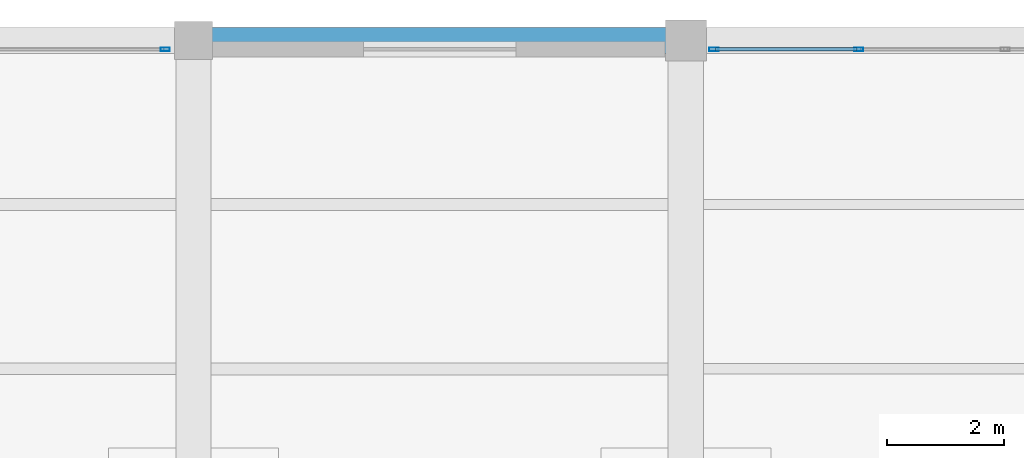
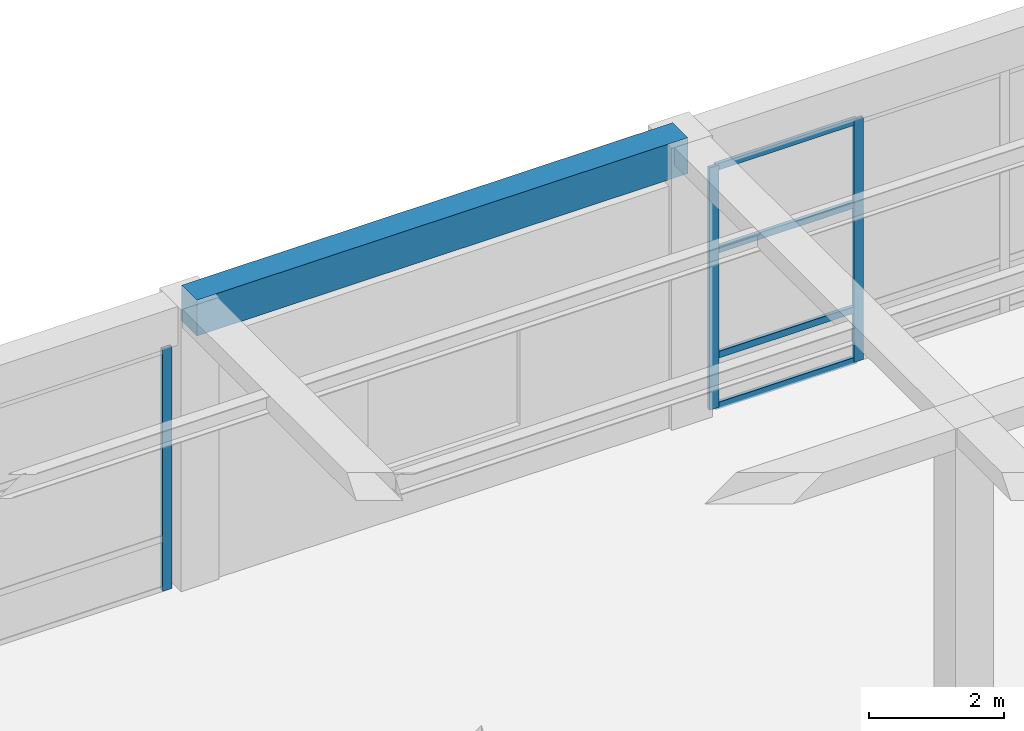
# One storey, part 50 of 95: 7 members, 1 beam, 2 elements without a shape of their own.
"""IFC4 building model written with IfcOpenShell, lengths in metres."""

import ifcopenshell
import ifcopenshell.guid

model = None  # the IFC model being written
_history = None  # IfcOwnerHistory: only IFC2X3 demands one
_inside = {}  # id of a spatial element -> (the spatial element, [elements in it])
_under = {}  # id of a project, library or spatial element -> (it, [spatial elements below it])
_declared = {}  # id of a project -> (the project, [libraries it declares])
_typed = {}  # id of a type object -> (the type object, [elements of that type])
_made_of = {}  # id of a material, layer set ... -> (it, [elements and type objects made of it])


def new_model(schema):
    """Start an empty IFC model of exactly this schema.

    Asked for "IFC4X3", IfcOpenShell would pick the latest addendum, in which some entities
    have other attributes; the version numbers below select the first issue.
    IFC2X3 requires an IfcOwnerHistory on every rooted entity: one is made here for all.
    """
    global model, _history
    if schema == "IFC4X3":
        model = ifcopenshell.file(schema_version=(4, 3, 0, 0))
    else:
        model = ifcopenshell.file(schema=schema)
    _inside.clear()
    _under.clear()
    _declared.clear()
    _typed.clear()
    _made_of.clear()
    _history = None
    if model.schema == "IFC2X3":
        org = make("IfcOrganization", Name="unknown")
        user = make(
            "IfcPersonAndOrganization",
            ThePerson=make("IfcPerson", FamilyName="unknown"),
            TheOrganization=org,
        )
        app = make(
            "IfcApplication",
            ApplicationDeveloper=org,
            Version="unknown",
            ApplicationFullName="unknown",
            ApplicationIdentifier="unknown",
        )
        _history = make(
            "IfcOwnerHistory",
            OwningUser=user,
            OwningApplication=app,
            ChangeAction="ADDED",
            CreationDate=0,
        )
    return model


def make(cls, **values):
    """One entity of the class cls with the attributes given. An attribute that is None is left unset."""
    return model.create_entity(
        cls, **{name: value for name, value in values.items() if value is not None}
    )


def rooted(cls, **values):
    """An entity with a GlobalId (a new one), such as an element, a storey or a relation."""
    return make(cls, GlobalId=ifcopenshell.guid.new(), OwnerHistory=_history, **values)


def si_unit(unit_type, name, prefix=None):
    """IfcSIUnit, for example si_unit("LENGTHUNIT", "METRE", prefix="MILLI")."""
    return make("IfcSIUnit", UnitType=unit_type, Prefix=prefix, Name=name)


def assignment(units):
    """IfcUnitAssignment: the units of a project."""
    return None if units is None else make("IfcUnitAssignment", Units=units)


def point(xyz):
    """IfcCartesianPoint."""
    return None if xyz is None else make("IfcCartesianPoint", Coordinates=xyz)


def direction(xyz):
    """IfcDirection."""
    return None if xyz is None else make("IfcDirection", DirectionRatios=xyz)


def frame(location, z_axis=None, x_axis=None):
    """IfcAxis2Placement3D, a coordinate frame: its origin and axes. An axis left out is left unset."""
    return make(
        "IfcAxis2Placement3D",
        Location=point(location),
        Axis=direction(z_axis),
        RefDirection=direction(x_axis),
    )


def frame_2d(location, x_axis=None):
    """IfcAxis2Placement2D, a coordinate frame in the plane: its origin and x axis."""
    return make(
        "IfcAxis2Placement2D", Location=point(location), RefDirection=direction(x_axis)
    )


def origin():
    """The frame at (0, 0, 0) with its axes left unset."""
    return frame((0.0, 0.0, 0.0))


def origin_2d():
    """The frame at (0, 0) in the plane with its x axis left unset."""
    return frame_2d((0.0, 0.0))


def place(relative_to, where):
    """IfcLocalPlacement: puts the frame where relative to a parent placement (None: the world)."""
    return make(
        "IfcLocalPlacement", PlacementRelTo=relative_to, RelativePlacement=where
    )


def context(
    kind, dimensions, precision=None, world=None, true_north=None, identifier=None
):
    """IfcGeometricRepresentationContext, for example the 3D "Model" context."""
    return make(
        "IfcGeometricRepresentationContext",
        ContextIdentifier=identifier,
        ContextType=kind,
        CoordinateSpaceDimension=dimensions,
        Precision=precision,
        WorldCoordinateSystem=world,
        TrueNorth=true_north,
    )


def subcontext(parent, identifier, kind, view, scale=None):
    """IfcGeometricRepresentationSubContext, for example "Body" below "Model"."""
    return make(
        "IfcGeometricRepresentationSubContext",
        ContextIdentifier=identifier,
        ContextType=kind,
        ParentContext=parent,
        TargetScale=scale,
        TargetView=view,
    )


def project(units=None, contexts=None):
    """IfcProject with its units and contexts."""
    return rooted(
        "IfcProject",
        Name="project",
        RepresentationContexts=contexts,
        UnitsInContext=assignment(units),
    )


def spatial(cls, under=None, at=None, **own):
    """A site, building, storey or space (cls), placed at a placement, below another one or the project."""
    s = rooted(cls, ObjectPlacement=at, **own)
    if under is not None:
        _under.setdefault(under.id(), (under, []))[1].append(s)
    return s


def profile(cls, at=None, kind="AREA", **sizes):
    """A parametric profile (cls). Its sizes go by their IFC names, for example OverallWidth=200.0."""
    return make(cls, ProfileType=kind, Position=at, **sizes)


def rectangle(**sizes):
    """IfcRectangleProfileDef."""
    return profile("IfcRectangleProfileDef", **sizes)


def hollow_rectangle(**sizes):
    """IfcRectangleHollowProfileDef."""
    return profile("IfcRectangleHollowProfileDef", **sizes)


def extrude(swept, where, along, depth):
    """IfcExtrudedAreaSolid: the profile swept, set in the frame where, extruded along a direction by depth."""
    return make(
        "IfcExtrudedAreaSolid",
        SweptArea=swept,
        Position=where,
        ExtrudedDirection=direction(along),
        Depth=depth,
    )


def shape(context_of_items, identifier, shape_type, items):
    """IfcShapeRepresentation: the items that make up one representation, for example the "Body"."""
    return make(
        "IfcShapeRepresentation",
        ContextOfItems=context_of_items,
        RepresentationIdentifier=identifier,
        RepresentationType=shape_type,
        Items=items,
    )


def material(Name=None, Category=None):
    """IfcMaterial."""
    return make("IfcMaterial", Name=Name, Category=Category)


def material_profile(
    of_material, cross_section, Name=None, Category=None, Priority=None
):
    """IfcMaterialProfile: a cross section and its material."""
    return make(
        "IfcMaterialProfile",
        Name=Name,
        Material=of_material,
        Profile=cross_section,
        Priority=Priority,
        Category=Category,
    )


def profile_set(profiles, Name=None, composite=None):
    """IfcMaterialProfileSet."""
    return make(
        "IfcMaterialProfileSet",
        Name=Name,
        MaterialProfiles=profiles,
        CompositeProfile=composite,
    )


def made_of(thing, what):
    """Note that an element or type object is made of a material, layer set ...; save() writes the relation."""
    if what is not None:
        _made_of.setdefault(what.id(), (what, []))[1].append(thing)
    return thing


def type_object(cls, material=None, **own):
    """A type object (cls), such as IfcWallType, which elements share."""
    return made_of(rooted(cls, **own), material)


def element(
    cls,
    number,
    at=None,
    inside=None,
    cuts=None,
    type_object=None,
    material=None,
    context=None,
    identifier="Body",
    shape_type=None,
    held_by="IfcProductDefinitionShape",
    body=None,
    shapes=None,
    **own,
):
    """One element of the class cls, such as IfcWall. Its Tag is "e" and its number.

    at: its placement. inside: the storey or other place that contains it. cuts: it is an
    opening in that element (IfcRelVoidsElement). A single representation is given by context,
    identifier, shape_type and body (its items); several are given by shapes. held_by: the class
    of the entity that holds the representations. save() writes the other relations.
    """
    e = rooted(cls, Tag="e%d" % number, ObjectPlacement=at, **own)
    if body is not None:
        shapes = [shape(context, identifier, shape_type, body)]
    if shapes is not None:
        e.Representation = make(held_by, Representations=shapes)
    if inside is not None:
        _inside.setdefault(inside.id(), (inside, []))[1].append(e)
    if cuts is not None:
        rooted(
            "IfcRelVoidsElement", RelatingBuildingElement=cuts, RelatedOpeningElement=e
        )
    if type_object is not None:
        _typed.setdefault(type_object.id(), (type_object, []))[1].append(e)
    return made_of(e, material)


def aggregate(whole, parts):
    """IfcRelAggregates: a whole, such as a stair, and the parts it consists of."""
    return rooted("IfcRelAggregates", RelatingObject=whole, RelatedObjects=parts)


def save(model, path):
    """Write the relations noted so far, then the file.

    IfcRelAggregates (storeys below a building ...), IfcRelContainedInSpatialStructure (elements
    in a storey), IfcRelDefinesByType, IfcRelAssociatesMaterial and IfcRelDeclares: one each for
    every whole, place, type object, material and project.
    """
    for whole, parts in _under.values():
        aggregate(whole, parts)
    for where, things in _inside.values():
        rooted(
            "IfcRelContainedInSpatialStructure",
            RelatedElements=things,
            RelatingStructure=where,
        )
    for kind, things in _typed.values():
        rooted("IfcRelDefinesByType", RelatedObjects=things, RelatingType=kind)
    for what, things in _made_of.values():
        rooted("IfcRelAssociatesMaterial", RelatedObjects=things, RelatingMaterial=what)
    for by, libraries in _declared.values():
        rooted("IfcRelDeclares", RelatingContext=by, RelatedDefinitions=libraries)
    model.write(path)


model = new_model("IFC4")

# Units and contexts
model_context = context("Model", 3, precision=1e-05, world=origin(), true_north=direction((0.0, 1.0)))
body_context = subcontext(model_context, "Body", "Model", "MODEL_VIEW")
ifc_project = project(units=[si_unit("LENGTHUNIT", "METRE"), si_unit("AREAUNIT", "SQUARE_METRE"), si_unit("VOLUMEUNIT", "CUBIC_METRE"), si_unit("PLANEANGLEUNIT", "RADIAN"), si_unit("MASSUNIT", "GRAM", prefix="KILO")], contexts=[model_context])

# Site, building, storey
site_placement = place(None, origin())
site = spatial("IfcSite", under=ifc_project, at=site_placement, CompositionType="ELEMENT")
building_placement = place(site_placement, origin())
building = spatial("IfcBuilding", under=site, at=building_placement, Name="Almacenes y Pasaje Nevantli", CompositionType="ELEMENT")
storey_placement = place(building_placement, frame((0.0, 0.0, 11.39990234375)))
storey = spatial("IfcBuildingStorey", under=building, at=storey_placement, Name="L03", CompositionType="ELEMENT", Elevation=11.39990234375)

# Beam
ifc_material_1 = material(Name="Concrete C35/45", Category="concrete")
ifc_material_profile_1 = material_profile(ifc_material_1, rectangle(XDim=0.449951171875, YDim=0.64990234375, at=origin_2d()), Name="RC-BM-450x650")
ifc_profile_set_1 = profile_set([ifc_material_profile_1], Name="Concrete C35/45")
beam_type = type_object("IfcBeamType", Name="BM-RC-450x650", PredefinedType="SPANDREL", material=ifc_profile_set_1)
beam_placement = place(storey_placement, frame((109.199951171875, 117.60009765625, 4.775146484375), z_axis=(1.0, 0.0, 0.0), x_axis=(0.0, 1.0, 0.0)))
element("IfcBeam", 1, at=beam_placement, inside=storey, type_object=beam_type, Name="L03 East-West Reinforced Concrete Beam #2473", PredefinedType="SPANDREL", context=body_context, shape_type="SweptSolid", body=[
    extrude(rectangle(XDim=0.449951171875, YDim=0.64990234375, at=origin_2d()), origin(), (0.0, 0.0, 1.0), 8.400146484375),
])

# Curtain wall, member
ifc_material_2 = material(Name="Thermally Broken Aluminium and Low-E Glass", Category="aluminium")
curtain_wall_type = type_object("IfcCurtainWallType", Name="CW-STF-BLVD", PredefinedType="USERDEFINED", material=ifc_material_2)
curtain_wall_1_placement = place(storey_placement, origin())
curtain_wall_1 = element("IfcCurtainWall", 2, at=curtain_wall_1_placement, inside=storey, type_object=curtain_wall_type, Name="L03 North Boulevard Retail Curtain Wall Bay 13", ObjectType="STOREFRONT GLAZING", PredefinedType="USERDEFINED")
ifc_material_3 = material(Name="Thermally Broken Anodized Aluminium", Category="aluminium")
ifc_material_profile_2 = material_profile(ifc_material_3, hollow_rectangle(XDim=0.06005859375, YDim=0.159912109375, WallThickness=0.00390625, at=origin_2d()), Name="ALU-MUL-60x160")
ifc_profile_set_2 = profile_set([ifc_material_profile_2], Name="Thermally Broken Anodized Aluminium")
member_type_1 = type_object("IfcMemberType", Name="CW-MUL-180", PredefinedType="MULLION", material=ifc_profile_set_2)
member_1_placement = place(storey_placement, frame((108.719970703125, 117.449951171875, 0.0), z_axis=(0.0, 0.0, 1.0), x_axis=(0.0, 1.0, 0.0)))
member_1 = element("IfcMember", 3, at=member_1_placement, type_object=member_type_1, Name="CW-L03-041 mullion 3", PredefinedType="MULLION", context=body_context, shape_type="SweptSolid", body=[
    extrude(hollow_rectangle(XDim=0.06005859375, YDim=0.159912109375, WallThickness=0.00390625, at=origin_2d()), origin(), (0.0, 0.0, 1.0), 4.380126953125),
])
aggregate(curtain_wall_1, [member_1])

# Curtain wall, members
curtain_wall_2_placement = place(storey_placement, origin())
curtain_wall_2 = element("IfcCurtainWall", 4, at=curtain_wall_2_placement, inside=storey, type_object=curtain_wall_type, Name="L03 North Boulevard Retail Curtain Wall Bay 15", ObjectType="STOREFRONT GLAZING", PredefinedType="USERDEFINED")
member_2_placement = place(storey_placement, frame((118.080078125, 117.449951171875, 0.0), z_axis=(0.0, 0.0, 1.0), x_axis=(0.0, 1.0, 0.0)))
member_2 = element("IfcMember", 5, at=member_2_placement, type_object=member_type_1, Name="CW-L03-042 mullion 1", PredefinedType="MULLION", context=body_context, shape_type="SweptSolid", body=[
    extrude(hollow_rectangle(XDim=0.06005859375, YDim=0.159912109375, WallThickness=0.00390625, at=origin_2d()), origin(), (0.0, 0.0, 1.0), 4.380126953125),
])
member_3_placement = place(storey_placement, frame((120.550048828125, 117.449951171875, 0.0), z_axis=(0.0, 0.0, 1.0), x_axis=(0.0, 1.0, 0.0)))
member_3 = element("IfcMember", 6, at=member_3_placement, type_object=member_type_1, Name="CW-L03-042 mullion 2", PredefinedType="MULLION", context=body_context, shape_type="SweptSolid", body=[
    extrude(hollow_rectangle(XDim=0.06005859375, YDim=0.159912109375, WallThickness=0.00390625, at=origin_2d()), origin(), (0.0, 0.0, 1.0), 4.380126953125),
])
ifc_material_4 = material(Name="Thermally Broken Anodized Aluminium", Category="aluminium")
ifc_material_profile_3 = material_profile(ifc_material_4, hollow_rectangle(XDim=0.06005859375, YDim=0.1201171875, WallThickness=0.00341796875, at=origin_2d()), Name="ALU-TRN-60x120")
ifc_profile_set_3 = profile_set([ifc_material_profile_3], Name="Thermally Broken Anodized Aluminium")
member_type_2 = type_object("IfcMemberType", Name="CW-TRN-130", PredefinedType="USERDEFINED", material=ifc_profile_set_3)
member_4_placement = place(storey_placement, frame((118.110107421875, 117.449951171875, 0.030029296875), z_axis=(1.0, 0.0, 0.0), x_axis=(0.0, 1.0, 0.0)))
member_4 = element("IfcMember", 7, at=member_4_placement, type_object=member_type_2, Name="CW-L03-042 transom 1.1", ObjectType="TRANSOM", PredefinedType="USERDEFINED", context=body_context, shape_type="SweptSolid", body=[
    extrude(hollow_rectangle(XDim=0.06005859375, YDim=0.1201171875, WallThickness=0.00341796875, at=origin_2d()), origin(), (0.0, 0.0, 1.0), 2.409912109375),
])
member_5_placement = place(storey_placement, frame((118.110107421875, 117.449951171875, 0.9501953125), z_axis=(1.0, 0.0, 0.0), x_axis=(0.0, 1.0, 0.0)))
member_5 = element("IfcMember", 8, at=member_5_placement, type_object=member_type_2, Name="CW-L03-042 transom 1.2", ObjectType="TRANSOM", PredefinedType="USERDEFINED", context=body_context, shape_type="SweptSolid", body=[
    extrude(hollow_rectangle(XDim=0.06005859375, YDim=0.1201171875, WallThickness=0.00341796875, at=origin_2d()), origin(), (0.0, 0.0, 1.0), 2.409912109375),
])
member_6_placement = place(storey_placement, frame((118.110107421875, 117.449951171875, 2.85009765625), z_axis=(1.0, 0.0, 0.0), x_axis=(0.0, 1.0, 0.0)))
member_6 = element("IfcMember", 9, at=member_6_placement, type_object=member_type_2, Name="CW-L03-042 transom 1.3", ObjectType="TRANSOM", PredefinedType="USERDEFINED", context=body_context, shape_type="SweptSolid", body=[
    extrude(hollow_rectangle(XDim=0.06005859375, YDim=0.1201171875, WallThickness=0.00341796875, at=origin_2d()), origin(), (0.0, 0.0, 1.0), 2.409912109375),
])
member_7_placement = place(storey_placement, frame((118.110107421875, 117.449951171875, 4.35009765625), z_axis=(1.0, 0.0, 0.0), x_axis=(0.0, 1.0, 0.0)))
member_7 = element("IfcMember", 10, at=member_7_placement, type_object=member_type_2, Name="CW-L03-042 transom 1.4", ObjectType="TRANSOM", PredefinedType="USERDEFINED", context=body_context, shape_type="SweptSolid", body=[
    extrude(hollow_rectangle(XDim=0.06005859375, YDim=0.1201171875, WallThickness=0.00341796875, at=origin_2d()), origin(), (0.0, 0.0, 1.0), 2.409912109375),
])
aggregate(curtain_wall_2, [member_2, member_3, member_4, member_5, member_6, member_7])

save(model, "model.ifc")
